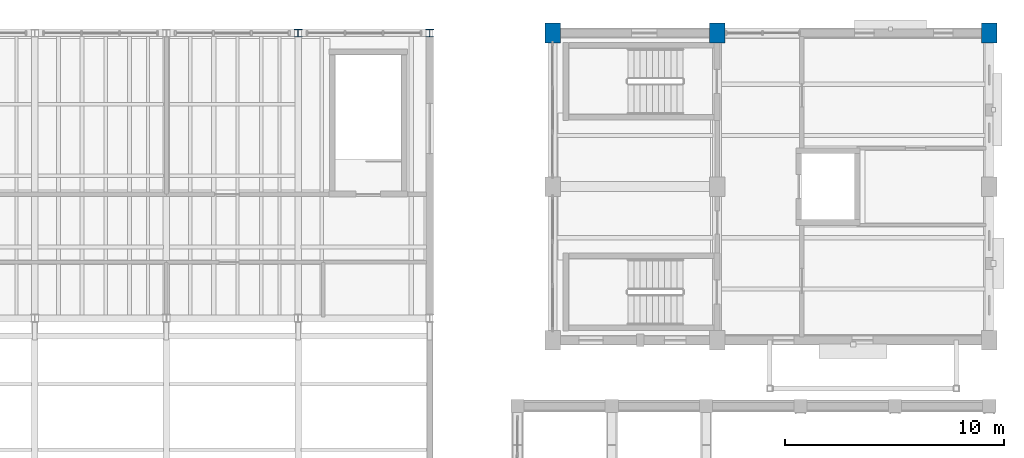
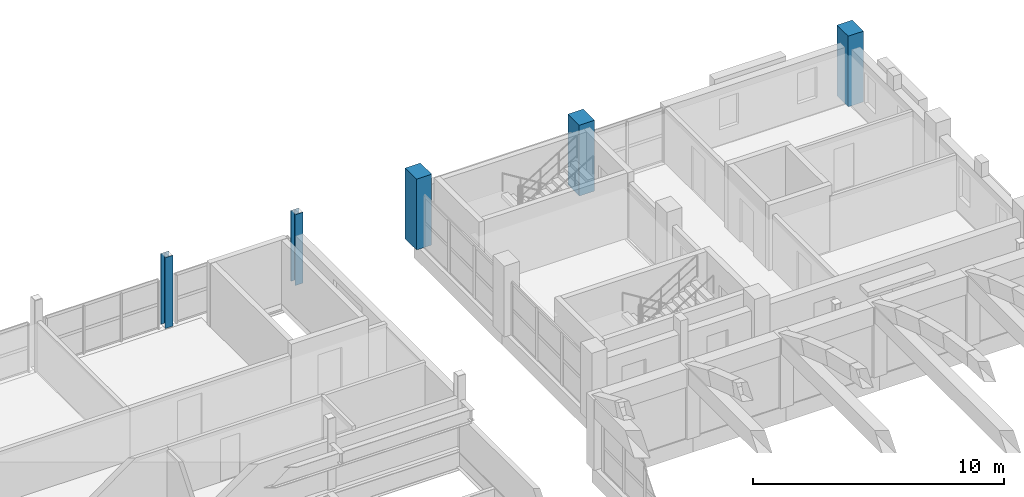
# One storey, part 9 of 77: 5 columns.
"""IFC4 building model written with IfcOpenShell, lengths in metres."""

from ifc_helpers import new_model, si_unit, direction, frame, origin, origin_2d, place, context, subcontext, project, spatial, rectangle, i_section, extrude, material, material_profile, profile_set, type_object, element, save


model = new_model("IFC4")

# Units and contexts
model_context = context("Model", 3, precision=1e-05, world=origin(), true_north=direction((0.0, 1.0)))
body_context = subcontext(model_context, "Body", "Model", "MODEL_VIEW")
ifc_project = project(units=[si_unit("LENGTHUNIT", "METRE"), si_unit("AREAUNIT", "SQUARE_METRE"), si_unit("VOLUMEUNIT", "CUBIC_METRE"), si_unit("PLANEANGLEUNIT", "RADIAN"), si_unit("MASSUNIT", "GRAM", prefix="KILO")], contexts=[model_context])

# Site, building, storey
site_placement = place(None, origin())
site = spatial("IfcSite", under=ifc_project, at=site_placement, CompositionType="ELEMENT")
building_placement = place(site_placement, origin())
building = spatial("IfcBuilding", under=site, at=building_placement, Name="Trellovar Central Fire Station", CompositionType="ELEMENT")
storey_placement = place(building_placement, frame((0.0, 0.0, 5.85009765625)))
storey = spatial("IfcBuildingStorey", under=building, at=storey_placement, Name="L02", CompositionType="ELEMENT", Elevation=5.85009765625)

# Columns
ifc_material_1 = material(Name="Concrete C40/50", Category="concrete")
ifc_material_profile_1 = material_profile(ifc_material_1, rectangle(XDim=0.699951171875, YDim=0.89990234375, at=origin_2d()), Name="RC700X900")
ifc_profile_set_1 = profile_set([ifc_material_profile_1], Name="Concrete C40/50")
column_type_1 = type_object("IfcColumnType", Name="COL-C3", PredefinedType="COLUMN", material=ifc_profile_set_1)
for number, where, z_axis, x_axis, name in (
    (1, (141.10009765625, 73.0, 0.0), (0.0, 0.0, 1.0), (1.0, 0.0, 0.0), "L02 column C-3"),
    (2, (148.60009765625, 73.0, 0.0), (0.0, 0.0, 1.0), (1.0, 0.0, 0.0), "L02 column C-3"),
    (3, (161.0, 73.0, 0.0), (0.0, 0.0, 1.0), (1.0, 0.0, 0.0), "L02 column C-3"),
):
    element("IfcColumn", number, at=place(storey_placement, frame(where, z_axis=z_axis, x_axis=x_axis)), inside=storey, type_object=column_type_1, Name=name, PredefinedType="COLUMN", context=body_context, shape_type="SweptSolid", body=[
        extrude(rectangle(XDim=0.699951171875, YDim=0.89990234375, at=origin_2d()), origin(), (0.0, 0.0, 1.0), 3.449951171875),
    ])
ifc_material_2 = material(Name="Steel ASTM A992 Grade 50", Category="steel")
ifc_material_profile_2 = material_profile(ifc_material_2, i_section(OverallWidth=0.368896484375, OverallDepth=0.356201171875, WebThickness=0.01123046875, FlangeThickness=0.01806640625, FilletRadius=0.01513671875, at=origin_2d()), Name="W14X90")
ifc_profile_set_2 = profile_set([ifc_material_profile_2], Name="Steel ASTM A992 Grade 50")
column_type_2 = type_object("IfcColumnType", Name="COL-SC1", PredefinedType="COLUMN", material=ifc_profile_set_2)
for number, where, z_axis, x_axis, name in (
    (4, (129.5, 73.0, 0.0), (0.0, 0.0, 1.0), (1.0, 0.0, 0.0), "L02 column SC-1"),
    (5, (135.5, 73.0, 0.0), (0.0, 0.0, 1.0), (1.0, 0.0, 0.0), "L02 column SC-1"),
):
    element("IfcColumn", number, at=place(storey_placement, frame(where, z_axis=z_axis, x_axis=x_axis)), inside=storey, type_object=column_type_2, Name=name, PredefinedType="COLUMN", context=body_context, shape_type="SweptSolid", body=[
        extrude(i_section(OverallWidth=0.368896484375, OverallDepth=0.356201171875, WebThickness=0.01123046875, FlangeThickness=0.01806640625, FilletRadius=0.01513671875, at=origin_2d()), origin(), (0.0, 0.0, 1.0), 3.449951171875),
    ])

save(model, "model.ifc")
